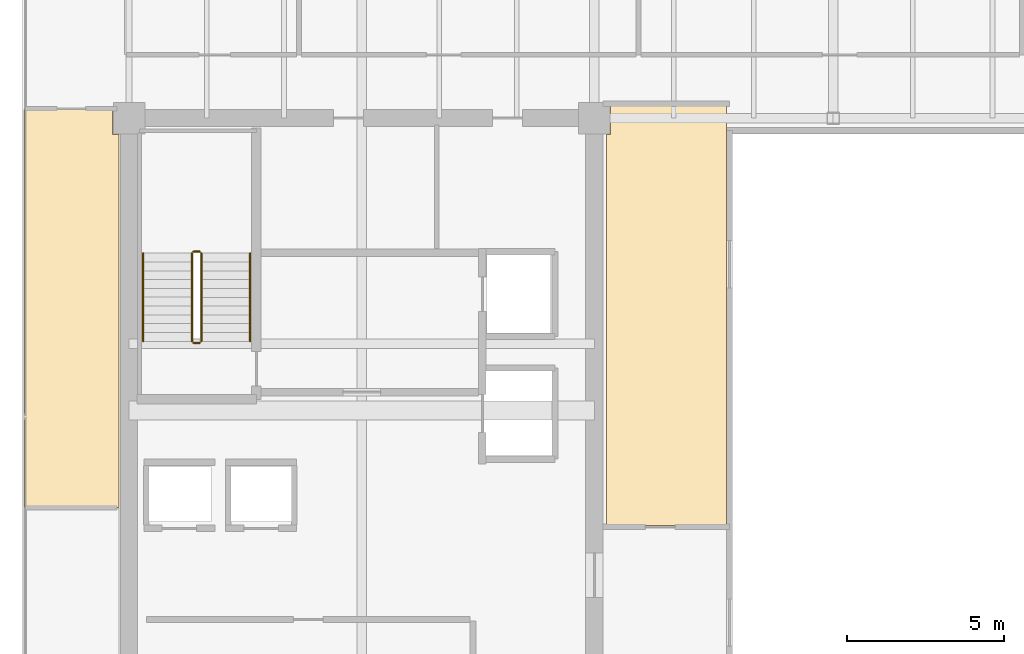
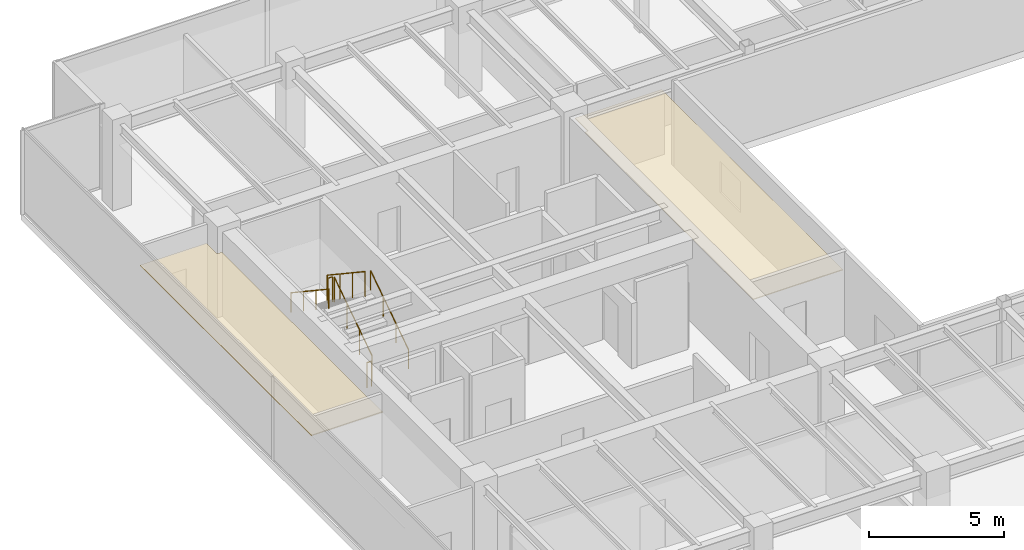
# One storey, part 33 of 35: 6 railings, 2 coverings.
"""IFC4 building model written with IfcOpenShell, lengths in metres."""

from ifc_helpers import new_model, si_unit, direction, frame, origin, origin_2d, place, context, subcontext, project, spatial, polyline, circle, outline, extrude, source, transform, mapped, material, layer, layer_set, type_object, type_shapes, element, save


model = new_model("IFC4")

# Units and contexts
model_context = context("Model", 3, precision=1e-05, world=origin(), true_north=direction((0.0, 1.0)))
body_context = subcontext(model_context, "Body", "Model", "MODEL_VIEW")
ifc_project = project(units=[si_unit("LENGTHUNIT", "METRE"), si_unit("AREAUNIT", "SQUARE_METRE"), si_unit("VOLUMEUNIT", "CUBIC_METRE"), si_unit("PLANEANGLEUNIT", "RADIAN"), si_unit("MASSUNIT", "GRAM", prefix="KILO")], contexts=[model_context])

# Site, building, storey
site_placement = place(None, origin())
site = spatial("IfcSite", under=ifc_project, at=site_placement, CompositionType="ELEMENT")
building_placement = place(site_placement, origin())
building = spatial("IfcBuilding", under=site, at=building_placement, Name="Haelvirn Gate Laboratories", CompositionType="ELEMENT")
storey_placement = place(building_placement, frame((0.0, 0.0, 234.199951171875)))
storey = spatial("IfcBuildingStorey", under=building, at=storey_placement, Name="L56", CompositionType="ELEMENT", Elevation=234.199951171875)

# Coverings
ifc_material_1 = material(Name="Micro-perforated acoustic mineral-fibre laboratory ceiling")
ifc_layer = layer(ifc_material_1, 0.0400390625, Name="COV-CEIL-ACT")
ifc_layer_set = layer_set([ifc_layer], Name="Micro-perforated acoustic mineral-fibre laboratory ceiling")
covering_type = type_object("IfcCoveringType", Name="COV-CEIL-ACT", PredefinedType="CEILING", material=ifc_layer_set)
covering_1_placement = place(storey_placement, frame((0.0, 0.0, 2.880126953125)))
element("IfcCovering", 1, at=covering_1_placement, inside=storey, type_object=covering_type, Name="L56 Laboratory Acoustic Ceiling CEIL-SP-L56-WATRIUM-POD", PredefinedType="CEILING", context=body_context, shape_type="SweptSolid", body=[
    extrude(outline(polyline([(26.409912109375, 34.239990234375), (26.409912109375, 20.840087890625), (22.590087890625, 20.840087890625), (22.590087890625, 33.280029296875), (22.719970703125, 33.280029296875), (22.719970703125, 34.239990234375), (26.409912109375, 34.239990234375)])), origin(), (0.0, 0.0, 1.0), 0.0400390625),
])
covering_2_placement = place(storey_placement, frame((0.0, 0.0, 2.880126953125)))
element("IfcCovering", 2, at=covering_2_placement, inside=storey, type_object=covering_type, Name="L56 Laboratory Acoustic Ceiling CEIL-SP-L56-WZ3-N", PredefinedType="CEILING", context=body_context, shape_type="SweptSolid", body=[
    extrude(outline(polyline([(6.8798828125, 34.074951171875), (6.8798828125, 33.280029296875), (7.080078125, 33.280029296875), (7.080078125, 21.409912109375), (4.050048828125, 21.409912109375), (4.050048828125, 34.074951171875), (6.8798828125, 34.074951171875)])), origin(), (0.0, 0.0, 1.0), 0.0400390625),
])

# Railings
ifc_material_2 = material(Name="Galvanised steel SM355 & stainless top rail", Category="steel")
railing_type_1 = type_object("IfcRailingType", Name="RL-GUARD-1150", PredefinedType="GUARDRAIL", material=ifc_material_2)
shared_shape_1 = source(origin(), body_context, "Body", "SweptSolid", [
    extrude(circle(Radius=0.02392578125, at=origin_2d()), frame((0.0, 0.0, 1.1259765625), z_axis=(-1.0, 0.0, 0.0), x_axis=(0.0, -1.0, 0.0)), (0.0, 0.0, 1.0), 0.199951171875),
    extrude(circle(Radius=0.02099609375, at=origin_2d()), origin(), (0.0, 0.0, 1.0), 1.101806640625),
    extrude(circle(Radius=0.02099609375, at=origin_2d()), frame((-0.199951171875, 0.0, 0.0)), (0.0, 0.0, 1.0), 1.101806640625),
])
for number, where, name in (
    (3, (9.64990234375, 29.550048828125, 2.050048828125), "L56 ST1 stair guard 2"),
    (4, (9.64990234375, 26.64990234375, 0.0), "L56 ST1 stair guard 4"),
):
    element("IfcRailing", number, at=place(storey_placement, frame(where)), inside=storey, type_object=railing_type_1, Name=name, PredefinedType="GUARDRAIL", context=body_context, shape_type="MappedRepresentation", body=[
        mapped(shared_shape_1, transform((0.0, 0.0, 0.0), scale=1.0)),
    ])
shared_shape_2 = source(origin(), body_context, "Body", "SweptSolid", [
    extrude(circle(Radius=0.02392578125, at=origin_2d()), frame((0.0, 0.0, 1.1259765625), z_axis=(0.0, 0.832485552168, 0.554046753832), x_axis=(-1.0, 0.0, 0.0)), (0.0, 0.0, 1.0), 3.363525390625),
    extrude(circle(Radius=0.02099609375, at=origin_2d()), origin(), (0.0, 0.0, 1.0), 1.101806640625),
    extrude(circle(Radius=0.02099609375, at=origin_2d()), frame((0.0, 0.933349609375, 0.62109375)), (0.0, 0.0, 1.0), 1.101806640625),
    extrude(circle(Radius=0.02099609375, at=origin_2d()), frame((0.0, 1.86669921875, 1.242431640625)), (0.0, 0.0, 1.0), 1.101806640625),
    extrude(circle(Radius=0.02099609375, at=origin_2d()), frame((0.0, 2.800048828125, 1.863525390625)), (0.0, 0.0, 1.0), 1.101806640625),
])
railing_1_placement = place(storey_placement, frame((9.699951171875, 26.699951171875, 0.1865234375)))
element("IfcRailing", 5, at=railing_1_placement, inside=storey, type_object=railing_type_1, Name="L56 ST1 stair guard 1", PredefinedType="GUARDRAIL", context=body_context, shape_type="MappedRepresentation", body=[
    mapped(shared_shape_2, transform((0.0, 0.0, 0.0), scale=1.0)),
])
shared_shape_3 = source(origin(), body_context, "Body", "SweptSolid", [
    extrude(circle(Radius=0.02392578125, at=origin_2d()), frame((0.0, 0.0, 1.1259765625), z_axis=(0.0, -0.832452072856, 0.554097055034), x_axis=(1.0, 0.0, 0.0)), (0.0, 0.0, 1.0), 3.363525390625),
    extrude(circle(Radius=0.02099609375, at=origin_2d()), origin(), (0.0, 0.0, 1.0), 1.101806640625),
    extrude(circle(Radius=0.02099609375, at=origin_2d()), frame((0.0, -0.933349609375, 0.621337890625)), (0.0, 0.0, 1.0), 1.101806640625),
    extrude(circle(Radius=0.02099609375, at=origin_2d()), frame((0.0, -1.86669921875, 1.242431640625)), (0.0, 0.0, 1.0), 1.101806640625),
    extrude(circle(Radius=0.02099609375, at=origin_2d()), frame((0.0, -2.800048828125, 1.86376953125)), (0.0, 0.0, 1.0), 1.101806640625),
])
type_shapes(railing_type_1, [shared_shape_1, shared_shape_2, shared_shape_3])
railing_2_placement = place(storey_placement, frame((9.39990234375, 29.5, 2.236328125)))
element("IfcRailing", 6, at=railing_2_placement, inside=storey, type_object=railing_type_1, Name="L56 ST1 stair guard 3", PredefinedType="GUARDRAIL", context=body_context, shape_type="MappedRepresentation", body=[
    mapped(shared_shape_3, transform((0.0, 0.0, 0.0), scale=1.0)),
])
ifc_material_3 = material(Name="Brushed stainless steel 316L", Category="steel")
railing_type_2 = type_object("IfcRailingType", Name="RL-HAND-920", PredefinedType="HANDRAIL", material=ifc_material_3)
shared_shape_4 = source(origin(), body_context, "Body", "SweptSolid", [
    extrude(circle(Radius=0.02392578125, at=origin_2d()), frame((0.0, 0.0, 0.8759765625), z_axis=(0.0, 0.832485552168, 0.554046753832), x_axis=(-1.0, 0.0, 0.0)), (0.0, 0.0, 1.0), 3.363525390625),
    extrude(circle(Radius=0.02099609375, at=origin_2d()), origin(), (0.0, 0.0, 1.0), 0.851806640625),
    extrude(circle(Radius=0.02099609375, at=origin_2d()), frame((0.0, 0.933349609375, 0.62109375)), (0.0, 0.0, 1.0), 0.851806640625),
    extrude(circle(Radius=0.02099609375, at=origin_2d()), frame((0.0, 1.86669921875, 1.242431640625)), (0.0, 0.0, 1.0), 0.851806640625),
    extrude(circle(Radius=0.02099609375, at=origin_2d()), frame((0.0, 2.800048828125, 1.863525390625)), (0.0, 0.0, 1.0), 0.851806640625),
])
railing_3_placement = place(storey_placement, frame((11.25, 26.699951171875, 0.1865234375)))
element("IfcRailing", 7, at=railing_3_placement, inside=storey, type_object=railing_type_2, Name="L56 ST1 stair handrail 1", PredefinedType="HANDRAIL", context=body_context, shape_type="MappedRepresentation", body=[
    mapped(shared_shape_4, transform((0.0, 0.0, 0.0), scale=1.0)),
])
shared_shape_5 = source(origin(), body_context, "Body", "SweptSolid", [
    extrude(circle(Radius=0.02392578125, at=origin_2d()), frame((0.0, 0.0, 0.8759765625), z_axis=(0.0, -0.832452072856, 0.554097055034), x_axis=(1.0, 0.0, 0.0)), (0.0, 0.0, 1.0), 3.363525390625),
    extrude(circle(Radius=0.02099609375, at=origin_2d()), origin(), (0.0, 0.0, 1.0), 0.851806640625),
    extrude(circle(Radius=0.02099609375, at=origin_2d()), frame((0.0, -0.933349609375, 0.621337890625)), (0.0, 0.0, 1.0), 0.851806640625),
    extrude(circle(Radius=0.02099609375, at=origin_2d()), frame((0.0, -1.86669921875, 1.242431640625)), (0.0, 0.0, 1.0), 0.851806640625),
    extrude(circle(Radius=0.02099609375, at=origin_2d()), frame((0.0, -2.800048828125, 1.86376953125)), (0.0, 0.0, 1.0), 0.851806640625),
])
type_shapes(railing_type_2, [shared_shape_4, shared_shape_5])
railing_4_placement = place(storey_placement, frame((7.85009765625, 29.5, 2.236328125)))
element("IfcRailing", 8, at=railing_4_placement, inside=storey, type_object=railing_type_2, Name="L56 ST1 stair handrail 2", PredefinedType="HANDRAIL", context=body_context, shape_type="MappedRepresentation", body=[
    mapped(shared_shape_5, transform((0.0, 0.0, 0.0), scale=1.0)),
])

save(model, "model.ifc")
